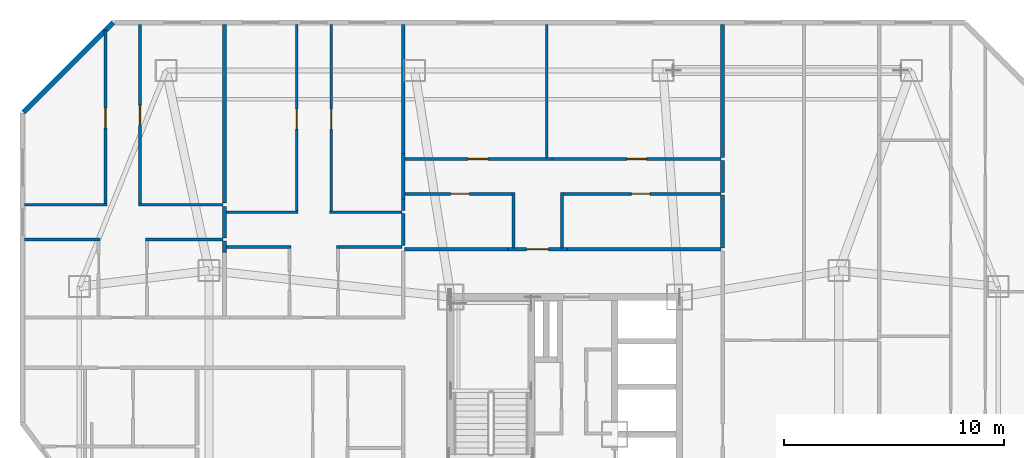
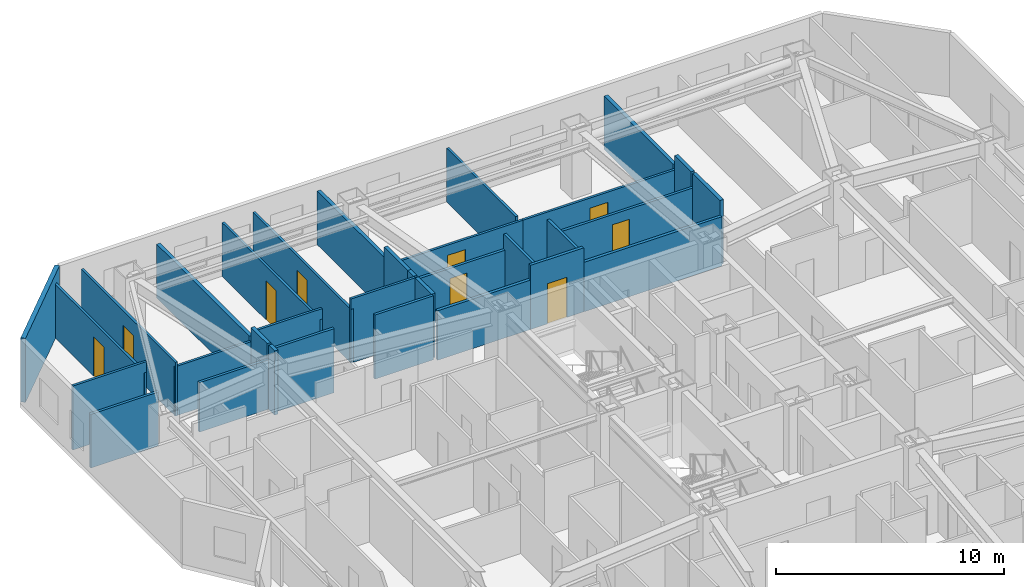
# One storey, part 10 of 12: 33 walls, 9 doors, 9 openings.
"""IFC4 building model written with IfcOpenShell, lengths in metres."""

from ifc_helpers import new_model, si_unit, direction, frame, frame_2d, origin, place, context, subcontext, project, spatial, rectangle, extrude, material, layer, layer_set, type_object, element, fill, save


model = new_model("IFC4")

# Units and contexts
model_context = context("Model", 3, precision=1e-05, world=origin(), true_north=direction((0.0, 1.0)))
body_context = subcontext(model_context, "Body", "Model", "MODEL_VIEW")
ifc_project = project(units=[si_unit("LENGTHUNIT", "METRE"), si_unit("AREAUNIT", "SQUARE_METRE"), si_unit("VOLUMEUNIT", "CUBIC_METRE"), si_unit("PLANEANGLEUNIT", "RADIAN"), si_unit("MASSUNIT", "GRAM", prefix="KILO")], contexts=[model_context])

# Site, building, storey
site_placement = place(None, origin())
site = spatial("IfcSite", under=ifc_project, at=site_placement, CompositionType="ELEMENT")
building_placement = place(site_placement, origin())
building = spatial("IfcBuilding", under=site, at=building_placement, Name="Khamvora Tower", CompositionType="ELEMENT")
storey_placement = place(building_placement, frame((0.0, 0.0, 127.449951171875)))
storey = spatial("IfcBuildingStorey", under=building, at=storey_placement, Name="L32", CompositionType="ELEMENT", Elevation=127.449951171875)

# Wall, opening, door
ifc_material_1 = material(Name="Fire-Rated Drywall and Steel Stud", Category="steel")
ifc_layer_1 = layer(ifc_material_1, 0.14990234375)
ifc_layer_set_1 = layer_set([ifc_layer_1], Name="Fire-Rated Drywall and Steel Stud")
wall_type_1 = type_object("IfcWallType", Name="WAL-CORR-150", PredefinedType="STANDARD", material=ifc_layer_set_1)
wall_1_placement = place(storey_placement, frame((31.60107421875, 39.1650390625, 0.0), z_axis=(0.0, 0.0, 1.0), x_axis=(1.0, 0.0, 0.0)))
wall_1 = element("IfcWall", 1, at=wall_1_placement, inside=storey, type_object=wall_type_1, Name="L32 interior partition wall 030", PredefinedType="STANDARD", context=body_context, shape_type="SweptSolid", body=[
    extrude(rectangle(XDim=2.697998046875, YDim=0.14990234375, at=frame_2d((1.34912109375, 0.0))), origin(), (0.0, 0.0, 1.0), 3.429931640625),
])
opening_1_placement = place(wall_1_placement, frame((0.84912109375, 0.0, 0.0)))
opening_1 = element("IfcOpeningElement", 2, at=opening_1_placement, cuts=wall_1, Name="Opening D-U1", PredefinedType="OPENING", context=body_context, shape_type="SweptSolid", body=[
    extrude(rectangle(XDim=1.0, YDim=2.14990234375, at=frame_2d((0.5, 1.074951171875))), frame((0.0, 0.0849609375, 0.0), z_axis=(0.0, -1.0, 0.0), x_axis=(1.0, 0.0, 0.0)), (0.0, 0.0, 1.0), 0.169921875),
])
ifc_material_2 = material(Name="Powder-Coated Steel and Hardwood Leaf", Category="steel")
door_type_1 = type_object("IfcDoorType", Name="DOR-UNIT-1000", OperationType="NOTDEFINED", PredefinedType="DOOR", material=ifc_material_2)
door_1_placement = place(opening_1_placement, origin())
door_1 = element("IfcDoor", 3, at=door_1_placement, inside=storey, type_object=door_type_1, Name="L32 interior door COR-32NAH", OperationType="SINGLE_SWING_LEFT", OverallHeight=2.14990234375, OverallWidth=1.0, PredefinedType="DOOR", context=body_context, shape_type="SweptSolid", body=[
    extrude(rectangle(XDim=1.0, YDim=2.14990234375, at=frame_2d((0.5, 1.074951171875))), frame((0.0, 0.02490234375, 0.0), z_axis=(0.0, -1.0, 0.0), x_axis=(1.0, 0.0, 0.0)), (0.0, 0.0, 1.0), 0.050048828125),
])
fill(opening_1, door_1)

# Walls
wall_2_placement = place(storey_placement, frame((26.89990234375, 39.1650390625, 0.0), z_axis=(0.0, 0.0, 1.0), x_axis=(1.0, 0.0, 0.0)))
element("IfcWall", 4, at=wall_2_placement, inside=storey, type_object=wall_type_1, Name="L32 interior partition wall 031", PredefinedType="STANDARD", context=body_context, shape_type="SweptSolid", body=[
    extrude(rectangle(XDim=4.701171875, YDim=0.14990234375, at=frame_2d((2.3505859375, 0.0))), origin(), (0.0, 0.0, 1.0), 2.64697265625),
])
wall_3_placement = place(storey_placement, frame((34.299072265625, 39.1650390625, 0.0), z_axis=(0.0, 0.0, 1.0), x_axis=(1.0, 0.0, 0.0)))
element("IfcWall", 5, at=wall_3_placement, inside=storey, type_object=wall_type_1, Name="L32 interior partition wall 032", PredefinedType="STANDARD", context=body_context, shape_type="SweptSolid", body=[
    extrude(rectangle(XDim=7.0009765625, YDim=0.14990234375, at=frame_2d((3.50048828125, 0.0))), origin(), (0.0, 0.0, 1.0), 2.64697265625),
])
ifc_material_3 = material(Name="Acoustic Double-Stud Fire Wall", Category="gypsum")
ifc_layer_2 = layer(ifc_material_3, 0.179931640625)
ifc_layer_set_2 = layer_set([ifc_layer_2], Name="Acoustic Double-Stud Fire Wall")
wall_type_2 = type_object("IfcWallType", Name="WAL-CORR-180", PredefinedType="STANDARD", material=ifc_layer_set_2)
wall_4_placement = place(storey_placement, frame((18.705078125, 41.10888671875, 0.0), z_axis=(0.0, 0.0, 1.0), x_axis=(0.0, -1.0, 0.0)))
element("IfcWall", 6, at=wall_4_placement, inside=storey, type_object=wall_type_2, Name="L32 interior partition wall 096", PredefinedType="STANDARD", context=body_context, shape_type="SweptSolid", body=[
    extrude(rectangle(XDim=1.423828125, YDim=0.179931640625, at=frame_2d((0.7119140625, 0.0))), origin(), (0.0, 0.0, 1.0), 3.429931640625),
])
wall_5_placement = place(storey_placement, frame((18.705078125, 39.554931640625, 0.0), z_axis=(0.0, 0.0, 1.0), x_axis=(0.0, -1.0, 0.0)))
element("IfcWall", 7, at=wall_5_placement, inside=storey, type_object=wall_type_2, Name="L32 interior partition wall 097", PredefinedType="STANDARD", context=body_context, shape_type="SweptSolid", body=[
    extrude(rectangle(XDim=0.52392578125, YDim=0.179931640625, at=frame_2d((0.261962890625, 0.0))), origin(), (0.0, 0.0, 1.0), 3.429931640625),
])
wall_6_placement = place(storey_placement, frame((18.705078125, 49.387939453125, 0.0), z_axis=(0.0, 0.0, 1.0), x_axis=(0.0, -1.0, 0.0)))
element("IfcWall", 8, at=wall_6_placement, inside=storey, type_object=wall_type_2, Name="L32 interior partition wall 099", PredefinedType="STANDARD", context=body_context, shape_type="SweptSolid", body=[
    extrude(rectangle(XDim=8.123046875, YDim=0.179931640625, at=frame_2d((4.0615234375, 0.0))), origin(), (0.0, 0.0, 1.0), 2.8759765625),
])
wall_7_placement = place(storey_placement, frame((26.8349609375, 40.794921875, 0.0), z_axis=(0.0, 0.0, 1.0), x_axis=(0.0, -1.0, 0.0)))
element("IfcWall", 9, at=wall_7_placement, inside=storey, type_object=wall_type_2, Name="L32 interior partition wall 108", PredefinedType="STANDARD", context=body_context, shape_type="SweptSolid", body=[
    extrude(rectangle(XDim=1.449951171875, YDim=0.179931640625, at=frame_2d((0.72509765625, 0.0))), origin(), (0.0, 0.0, 1.0), 3.429931640625),
])
wall_8_placement = place(storey_placement, frame((26.8349609375, 43.52392578125, 0.0), z_axis=(0.0, 0.0, 1.0), x_axis=(0.0, -1.0, 0.0)))
element("IfcWall", 10, at=wall_8_placement, inside=storey, type_object=wall_type_2, Name="L32 interior partition wall 109", PredefinedType="STANDARD", context=body_context, shape_type="SweptSolid", body=[
    extrude(rectangle(XDim=2.077880859375, YDim=0.179931640625, at=frame_2d((1.0390625, 0.0))), origin(), (0.0, 0.0, 1.0), 3.429931640625),
])
wall_9_placement = place(storey_placement, frame((26.8349609375, 41.446044921875, 0.0), z_axis=(0.0, 0.0, 1.0), x_axis=(0.0, -1.0, 0.0)))
element("IfcWall", 11, at=wall_9_placement, inside=storey, type_object=wall_type_2, Name="L32 interior partition wall 110", PredefinedType="STANDARD", context=body_context, shape_type="SweptSolid", body=[
    extrude(rectangle(XDim=0.52099609375, YDim=0.179931640625, at=frame_2d((0.260498046875, 0.0))), origin(), (0.0, 0.0, 1.0), 3.429931640625),
])
wall_10_placement = place(storey_placement, frame((26.8349609375, 49.387939453125, 0.0), z_axis=(0.0, 0.0, 1.0), x_axis=(0.0, -1.0, 0.0)))
element("IfcWall", 12, at=wall_10_placement, inside=storey, type_object=wall_type_2, Name="L32 interior partition wall 111", PredefinedType="STANDARD", context=body_context, shape_type="SweptSolid", body=[
    extrude(rectangle(XDim=5.864013671875, YDim=0.179931640625, at=frame_2d((2.93212890625, 0.0))), origin(), (0.0, 0.0, 1.0), 2.8759765625),
])
wall_11_placement = place(storey_placement, frame((41.364990234375, 43.2099609375, 0.0), z_axis=(0.0, 0.0, 1.0), x_axis=(0.0, -1.0, 0.0)))
element("IfcWall", 13, at=wall_11_placement, inside=storey, type_object=wall_type_2, Name="L32 interior partition wall 127", PredefinedType="STANDARD", context=body_context, shape_type="SweptSolid", body=[
    extrude(rectangle(XDim=1.449951171875, YDim=0.179931640625, at=frame_2d((0.72509765625, 0.0))), origin(), (0.0, 0.0, 1.0), 3.429931640625),
])
wall_12_placement = place(storey_placement, frame((41.364990234375, 41.6298828125, 0.0), z_axis=(0.0, 0.0, 1.0), x_axis=(0.0, -1.0, 0.0)))
element("IfcWall", 14, at=wall_12_placement, inside=storey, type_object=wall_type_2, Name="L32 interior partition wall 128", PredefinedType="STANDARD", context=body_context, shape_type="SweptSolid", body=[
    extrude(rectangle(XDim=2.39990234375, YDim=0.179931640625, at=frame_2d((1.199951171875, 0.0))), origin(), (0.0, 0.0, 1.0), 3.429931640625),
])
wall_13_placement = place(storey_placement, frame((41.364990234375, 49.387939453125, 0.0), z_axis=(0.0, 0.0, 1.0), x_axis=(0.0, -1.0, 0.0)))
element("IfcWall", 15, at=wall_13_placement, inside=storey, type_object=wall_type_2, Name="L32 interior partition wall 130", PredefinedType="STANDARD", context=body_context, shape_type="SweptSolid", body=[
    extrude(rectangle(XDim=6.0478515625, YDim=0.179931640625, at=frame_2d((3.02392578125, 0.0))), origin(), (0.0, 0.0, 1.0), 2.8759765625),
])
ifc_material_4 = material(Name="Precast concrete C40/50", Category="concrete")
ifc_layer_3 = layer(ifc_material_4, 0.219970703125)
ifc_layer_set_3 = layer_set([ifc_layer_3], Name="Precast concrete C40/50")
wall_type_3 = type_object("IfcWallType", Name="WAL-EXT-220", PredefinedType="STANDARD", material=ifc_layer_set_3)
wall_14_placement = place(storey_placement, frame((9.55810546875, 45.402099609375, 0.0), z_axis=(0.0, 0.0, 1.0), x_axis=(0.707106781187, 0.707106781187, 0.0)))
element("IfcWall", 16, at=wall_14_placement, inside=storey, type_object=wall_type_3, Name="L32 exterior facade wall 06.1", PredefinedType="STANDARD", context=body_context, shape_type="SweptSolid", body=[
    extrude(rectangle(XDim=5.78125, YDim=0.219970703125, at=frame_2d((2.890625, 0.0))), origin(), (0.0, 0.0, 1.0), 3.429931640625),
])
ifc_material_5 = material(Name="Gypsum Plasterboard Partition", Category="gypsum")
ifc_layer_4 = layer(ifc_material_5, 0.1201171875)
ifc_layer_set_4 = layer_set([ifc_layer_4], Name="Gypsum Plasterboard Partition")
wall_type_4 = type_object("IfcWallType", Name="WAL-PART-120", PredefinedType="PARTITIONING", material=ifc_layer_set_4)
wall_15_placement = place(storey_placement, frame((9.612060546875, 41.199951171875, 0.0), z_axis=(0.0, 0.0, 1.0), x_axis=(1.0, 0.0, 0.0)))
element("IfcWall", 17, at=wall_15_placement, inside=storey, type_object=wall_type_4, Name="L32 interior partition wall 092", PredefinedType="PARTITIONING", context=body_context, shape_type="SweptSolid", body=[
    extrude(rectangle(XDim=3.742919921875, YDim=0.1201171875, at=frame_2d((1.87158203125, 0.0))), origin(), (0.0, 0.0, 1.0), 3.429931640625),
])

# Wall, opening, door
wall_16_placement = place(storey_placement, frame((13.2900390625, 41.135009765625, 0.0), z_axis=(0.0, 0.0, 1.0), x_axis=(0.0, 1.0, 0.0)))
wall_16 = element("IfcWall", 18, at=wall_16_placement, inside=storey, type_object=wall_type_4, Name="L32 interior partition wall 093", PredefinedType="PARTITIONING", context=body_context, shape_type="SweptSolid", body=[
    extrude(rectangle(XDim=8.008056640625, YDim=0.1201171875, at=frame_2d((4.00390625, 0.0))), origin(), (0.0, 0.0, 1.0), 2.8759765625),
])
opening_2_placement = place(wall_16_placement, frame((3.553955078125, 0.0, 0.0)))
opening_2 = element("IfcOpeningElement", 19, at=opening_2_placement, cuts=wall_16, Name="Opening D-RM1", PredefinedType="OPENING", context=body_context, shape_type="SweptSolid", body=[
    extrude(rectangle(XDim=0.89990234375, YDim=2.10009765625, at=frame_2d((0.449951171875, 1.050048828125))), frame((0.0, 0.070068359375, 0.0), z_axis=(0.0, -1.0, 0.0), x_axis=(1.0, 0.0, 0.0)), (0.0, 0.0, 1.0), 0.14013671875),
])
door_type_2 = type_object("IfcDoorType", Name="DOR-ROOM-900", OperationType="NOTDEFINED", PredefinedType="DOOR", material=ifc_material_2)
door_2_placement = place(opening_2_placement, origin())
door_2 = element("IfcDoor", 20, at=door_2_placement, inside=storey, type_object=door_type_2, Name="L32 interior door 32WBH-32WBL", OperationType="SINGLE_SWING_RIGHT", OverallHeight=2.10009765625, OverallWidth=0.89990234375, PredefinedType="DOOR", context=body_context, shape_type="SweptSolid", body=[
    extrude(rectangle(XDim=0.89990234375, YDim=2.10009765625, at=frame_2d((0.449951171875, 1.050048828125))), frame((0.0, 0.02490234375, 0.0), z_axis=(0.0, -1.0, 0.0), x_axis=(1.0, 0.0, 0.0)), (0.0, 0.0, 1.0), 0.050048828125),
])
fill(opening_2, door_2)

wall_17_placement = place(storey_placement, frame((14.860107421875, 49.387939453125, 0.0), z_axis=(0.0, 0.0, 1.0), x_axis=(0.0, -1.0, 0.0)))
wall_17 = element("IfcWall", 21, at=wall_17_placement, inside=storey, type_object=wall_type_4, Name="L32 interior partition wall 094", PredefinedType="PARTITIONING", context=body_context, shape_type="SweptSolid", body=[
    extrude(rectangle(XDim=8.2529296875, YDim=0.1201171875, at=frame_2d((4.12646484375, 0.0))), origin(), (0.0, 0.0, 1.0), 2.8759765625),
])
opening_3_placement = place(wall_17_placement, frame((3.676025390625, 0.0, 0.0)))
opening_3 = element("IfcOpeningElement", 22, at=opening_3_placement, cuts=wall_17, Name="Opening D-RM1", PredefinedType="OPENING", context=body_context, shape_type="SweptSolid", body=[
    extrude(rectangle(XDim=0.89990234375, YDim=2.10009765625, at=frame_2d((0.449951171875, 1.050048828125))), frame((0.0, 0.070068359375, 0.0), z_axis=(0.0, -1.0, 0.0), x_axis=(1.0, 0.0, 0.0)), (0.0, 0.0, 1.0), 0.14013671875),
])
door_3_placement = place(opening_3_placement, origin())
door_3 = element("IfcDoor", 23, at=door_3_placement, inside=storey, type_object=door_type_2, Name="L32 interior door 32WBH-32WBR2", OperationType="SINGLE_SWING_LEFT", OverallHeight=2.10009765625, OverallWidth=0.89990234375, PredefinedType="DOOR", context=body_context, shape_type="SweptSolid", body=[
    extrude(rectangle(XDim=0.89990234375, YDim=2.10009765625, at=frame_2d((0.449951171875, 1.050048828125))), frame((0.0, 0.02490234375, 0.0), z_axis=(0.0, -1.0, 0.0), x_axis=(1.0, 0.0, 0.0)), (0.0, 0.0, 1.0), 0.050048828125),
])
fill(opening_3, door_3)

# Walls
wall_18_placement = place(storey_placement, frame((14.794921875, 41.199951171875, 0.0), z_axis=(0.0, 0.0, 1.0), x_axis=(1.0, 0.0, 0.0)))
element("IfcWall", 24, at=wall_18_placement, inside=storey, type_object=wall_type_4, Name="L32 interior partition wall 095", PredefinedType="PARTITIONING", context=body_context, shape_type="SweptSolid", body=[
    extrude(rectangle(XDim=3.844970703125, YDim=0.1201171875, at=frame_2d((1.92236328125, 0.0))), origin(), (0.0, 0.0, 1.0), 2.64697265625),
])
wall_19_placement = place(storey_placement, frame((18.787109375, 40.860107421875, 0.0), z_axis=(0.0, 0.0, 1.0), x_axis=(1.0, 0.0, 0.0)))
element("IfcWall", 25, at=wall_19_placement, inside=storey, type_object=wall_type_4, Name="L32 interior partition wall 104", PredefinedType="PARTITIONING", context=body_context, shape_type="SweptSolid", body=[
    extrude(rectangle(XDim=3.262939453125, YDim=0.1201171875, at=frame_2d((1.63134765625, 0.0))), origin(), (0.0, 0.0, 1.0), 3.429931640625),
])

# Wall, opening, door
wall_20_placement = place(storey_placement, frame((21.985107421875, 40.794921875, 0.0), z_axis=(0.0, 0.0, 1.0), x_axis=(0.0, 1.0, 0.0)))
wall_20 = element("IfcWall", 26, at=wall_20_placement, inside=storey, type_object=wall_type_4, Name="L32 interior partition wall 105", PredefinedType="PARTITIONING", context=body_context, shape_type="SweptSolid", body=[
    extrude(rectangle(XDim=8.593017578125, YDim=0.1201171875, at=frame_2d((4.29638671875, 0.0))), origin(), (0.0, 0.0, 1.0), 2.8759765625),
])
opening_4_placement = place(wall_20_placement, frame((3.845947265625, 0.0, 0.0)))
opening_4 = element("IfcOpeningElement", 27, at=opening_4_placement, cuts=wall_20, Name="Opening D-RM1", PredefinedType="OPENING", context=body_context, shape_type="SweptSolid", body=[
    extrude(rectangle(XDim=0.89990234375, YDim=2.10009765625, at=frame_2d((0.449951171875, 1.050048828125))), frame((0.0, 0.070068359375, 0.0), z_axis=(0.0, -1.0, 0.0), x_axis=(1.0, 0.0, 0.0)), (0.0, 0.0, 1.0), 0.14013671875),
])
door_4_placement = place(opening_4_placement, origin())
door_4 = element("IfcDoor", 28, at=door_4_placement, inside=storey, type_object=door_type_2, Name="L32 interior door 32WCH-32WCL", OperationType="SINGLE_SWING_RIGHT", OverallHeight=2.10009765625, OverallWidth=0.89990234375, PredefinedType="DOOR", context=body_context, shape_type="SweptSolid", body=[
    extrude(rectangle(XDim=0.89990234375, YDim=2.10009765625, at=frame_2d((0.449951171875, 1.050048828125))), frame((0.0, 0.02490234375, 0.0), z_axis=(0.0, -1.0, 0.0), x_axis=(1.0, 0.0, 0.0)), (0.0, 0.0, 1.0), 0.050048828125),
])
fill(opening_4, door_4)

wall_21_placement = place(storey_placement, frame((23.554931640625, 49.387939453125, 0.0), z_axis=(0.0, 0.0, 1.0), x_axis=(0.0, -1.0, 0.0)))
wall_21 = element("IfcWall", 29, at=wall_21_placement, inside=storey, type_object=wall_type_4, Name="L32 interior partition wall 106", PredefinedType="PARTITIONING", context=body_context, shape_type="SweptSolid", body=[
    extrude(rectangle(XDim=8.593017578125, YDim=0.1201171875, at=frame_2d((4.29638671875, 0.0))), origin(), (0.0, 0.0, 1.0), 2.8759765625),
])
opening_5_placement = place(wall_21_placement, frame((3.845947265625, 0.0, 0.0)))
opening_5 = element("IfcOpeningElement", 30, at=opening_5_placement, cuts=wall_21, Name="Opening D-RM1", PredefinedType="OPENING", context=body_context, shape_type="SweptSolid", body=[
    extrude(rectangle(XDim=0.89990234375, YDim=2.10009765625, at=frame_2d((0.449951171875, 1.050048828125))), frame((0.0, 0.070068359375, 0.0), z_axis=(0.0, -1.0, 0.0), x_axis=(1.0, 0.0, 0.0)), (0.0, 0.0, 1.0), 0.14013671875),
])
door_5_placement = place(opening_5_placement, origin())
door_5 = element("IfcDoor", 31, at=door_5_placement, inside=storey, type_object=door_type_2, Name="L32 interior door 32WCH-32WCR2", OperationType="SINGLE_SWING_LEFT", OverallHeight=2.10009765625, OverallWidth=0.89990234375, PredefinedType="DOOR", context=body_context, shape_type="SweptSolid", body=[
    extrude(rectangle(XDim=0.89990234375, YDim=2.10009765625, at=frame_2d((0.449951171875, 1.050048828125))), frame((0.0, 0.02490234375, 0.0), z_axis=(0.0, -1.0, 0.0), x_axis=(1.0, 0.0, 0.0)), (0.0, 0.0, 1.0), 0.050048828125),
])
fill(opening_5, door_5)

# Wall
wall_22_placement = place(storey_placement, frame((23.489990234375, 40.860107421875, 0.0), z_axis=(0.0, 0.0, 1.0), x_axis=(1.0, 0.0, 0.0)))
element("IfcWall", 32, at=wall_22_placement, inside=storey, type_object=wall_type_4, Name="L32 interior partition wall 107", PredefinedType="PARTITIONING", context=body_context, shape_type="SweptSolid", body=[
    extrude(rectangle(XDim=3.280029296875, YDim=0.1201171875, at=frame_2d((1.64013671875, 0.0))), origin(), (0.0, 0.0, 1.0), 3.429931640625),
])

# Wall, opening, door
wall_23_placement = place(storey_placement, frame((26.9169921875, 43.27490234375, 0.0), z_axis=(0.0, 0.0, 1.0), x_axis=(1.0, 0.0, 0.0)))
wall_23 = element("IfcWall", 33, at=wall_23_placement, inside=storey, type_object=wall_type_4, Name="L32 interior partition wall 125", PredefinedType="PARTITIONING", context=body_context, shape_type="SweptSolid", body=[
    extrude(rectangle(XDim=6.68994140625, YDim=0.1201171875, at=frame_2d((3.344970703125, 0.0))), origin(), (0.0, 0.0, 1.0), 2.64697265625),
])
opening_6_placement = place(wall_23_placement, frame((2.873046875, 0.0, 0.0)))
opening_6 = element("IfcOpeningElement", 34, at=opening_6_placement, cuts=wall_23, Name="Opening D-RM1", PredefinedType="OPENING", context=body_context, shape_type="SweptSolid", body=[
    extrude(rectangle(XDim=0.89990234375, YDim=2.10009765625, at=frame_2d((0.449951171875, 1.050048828125))), frame((0.0, 0.070068359375, 0.0), z_axis=(0.0, -1.0, 0.0), x_axis=(1.0, 0.0, 0.0)), (0.0, 0.0, 1.0), 0.14013671875),
])
door_6_placement = place(opening_6_placement, origin())
door_6 = element("IfcDoor", 35, at=door_6_placement, inside=storey, type_object=door_type_2, Name="L32 interior door 32NAH-32NAR1", OperationType="SINGLE_SWING_LEFT", OverallHeight=2.10009765625, OverallWidth=0.89990234375, PredefinedType="DOOR", context=body_context, shape_type="SweptSolid", body=[
    extrude(rectangle(XDim=0.89990234375, YDim=2.10009765625, at=frame_2d((0.449951171875, 1.050048828125))), frame((0.0, 0.02490234375, 0.0), z_axis=(0.0, -1.0, 0.0), x_axis=(1.0, 0.0, 0.0)), (0.0, 0.0, 1.0), 0.050048828125),
])
fill(opening_6, door_6)

wall_24_placement = place(storey_placement, frame((33.60693359375, 43.27490234375, 0.0), z_axis=(0.0, 0.0, 1.0), x_axis=(1.0, 0.0, 0.0)))
wall_24 = element("IfcWall", 36, at=wall_24_placement, inside=storey, type_object=wall_type_4, Name="L32 interior partition wall 126", PredefinedType="PARTITIONING", context=body_context, shape_type="SweptSolid", body=[
    extrude(rectangle(XDim=7.693115234375, YDim=0.1201171875, at=frame_2d((3.8466796875, 0.0))), origin(), (0.0, 0.0, 1.0), 2.64697265625),
])
opening_7_placement = place(wall_24_placement, frame((3.39599609375, 0.0, 0.0)))
opening_7 = element("IfcOpeningElement", 37, at=opening_7_placement, cuts=wall_24, Name="Opening D-RM1", PredefinedType="OPENING", context=body_context, shape_type="SweptSolid", body=[
    extrude(rectangle(XDim=0.89990234375, YDim=2.10009765625, at=frame_2d((0.449951171875, 1.050048828125))), frame((0.0, 0.070068359375, 0.0), z_axis=(0.0, -1.0, 0.0), x_axis=(1.0, 0.0, 0.0)), (0.0, 0.0, 1.0), 0.14013671875),
])
door_7_placement = place(opening_7_placement, origin())
door_7 = element("IfcDoor", 38, at=door_7_placement, inside=storey, type_object=door_type_2, Name="L32 interior door 32NAH-32NAR2", OperationType="SINGLE_SWING_RIGHT", OverallHeight=2.10009765625, OverallWidth=0.89990234375, PredefinedType="DOOR", context=body_context, shape_type="SweptSolid", body=[
    extrude(rectangle(XDim=0.89990234375, YDim=2.10009765625, at=frame_2d((0.449951171875, 1.050048828125))), frame((0.0, 0.02490234375, 0.0), z_axis=(0.0, -1.0, 0.0), x_axis=(1.0, 0.0, 0.0)), (0.0, 0.0, 1.0), 0.050048828125),
])
fill(opening_7, door_7)

# Walls
wall_25_placement = place(storey_placement, frame((33.35693359375, 49.387939453125, 0.0), z_axis=(0.0, 0.0, 1.0), x_axis=(0.0, -1.0, 0.0)))
element("IfcWall", 39, at=wall_25_placement, inside=storey, type_object=wall_type_4, Name="L32 interior partition wall 129", PredefinedType="PARTITIONING", context=body_context, shape_type="SweptSolid", body=[
    extrude(rectangle(XDim=6.058837890625, YDim=0.1201171875, at=frame_2d((3.029296875, 0.0))), origin(), (0.0, 0.0, 1.0), 2.8759765625),
])
ifc_material_6 = material(Name="Moisture-Resistant Plasterboard Partition", Category="gypsum")
ifc_layer_5 = layer(ifc_material_6, 0.135009765625)
ifc_layer_set_5 = layer_set([ifc_layer_5], Name="Moisture-Resistant Plasterboard Partition")
wall_type_5 = type_object("IfcWallType", Name="WAL-WET-135", PredefinedType="PARTITIONING", material=ifc_layer_set_5)
wall_26_placement = place(storey_placement, frame((13.0400390625, 39.6201171875, 0.0), z_axis=(0.0, 0.0, 1.0), x_axis=(-1.0, 0.0, 0.0)))
element("IfcWall", 40, at=wall_26_placement, inside=storey, type_object=wall_type_5, Name="L32 interior partition wall 089", PredefinedType="PARTITIONING", context=body_context, shape_type="SweptSolid", body=[
    extrude(rectangle(XDim=3.427978515625, YDim=0.135009765625, at=frame_2d((1.7138671875, 0.0))), origin(), (0.0, 0.0, 1.0), 2.8759765625),
])
wall_27_placement = place(storey_placement, frame((18.639892578125, 39.6201171875, 0.0), z_axis=(0.0, 0.0, 1.0), x_axis=(-1.0, 0.0, 0.0)))
element("IfcWall", 41, at=wall_27_placement, inside=storey, type_object=wall_type_5, Name="L32 interior partition wall 090", PredefinedType="PARTITIONING", context=body_context, shape_type="SweptSolid", body=[
    extrude(rectangle(XDim=3.52978515625, YDim=0.135009765625, at=frame_2d((1.764892578125, 0.0))), origin(), (0.0, 0.0, 1.0), 2.64697265625),
])
wall_28_placement = place(storey_placement, frame((21.735107421875, 39.280029296875, 0.0), z_axis=(0.0, 0.0, 1.0), x_axis=(-1.0, 0.0, 0.0)))
element("IfcWall", 42, at=wall_28_placement, inside=storey, type_object=wall_type_5, Name="L32 interior partition wall 101", PredefinedType="PARTITIONING", context=body_context, shape_type="SweptSolid", body=[
    extrude(rectangle(XDim=2.947998046875, YDim=0.135009765625, at=frame_2d((1.47412109375, 0.0))), origin(), (0.0, 0.0, 1.0), 3.429931640625),
])
wall_29_placement = place(storey_placement, frame((26.77001953125, 39.280029296875, 0.0), z_axis=(0.0, 0.0, 1.0), x_axis=(-1.0, 0.0, 0.0)))
element("IfcWall", 43, at=wall_29_placement, inside=storey, type_object=wall_type_5, Name="L32 interior partition wall 102", PredefinedType="PARTITIONING", context=body_context, shape_type="SweptSolid", body=[
    extrude(rectangle(XDim=2.965087890625, YDim=0.135009765625, at=frame_2d((1.482421875, 0.0))), origin(), (0.0, 0.0, 1.0), 3.429931640625),
])
wall_30_placement = place(storey_placement, frame((31.85009765625, 39.23193359375, 0.0), z_axis=(0.0, 0.0, 1.0), x_axis=(0.0, 1.0, 0.0)))
element("IfcWall", 44, at=wall_30_placement, inside=storey, type_object=wall_type_5, Name="L32 interior partition wall 121", PredefinedType="PARTITIONING", context=body_context, shape_type="SweptSolid", body=[
    extrude(rectangle(XDim=2.528076171875, YDim=0.135009765625, at=frame_2d((1.26416015625, 0.0))), origin(), (0.0, 0.0, 1.0), 3.429931640625),
])

# Wall, opening, door
wall_31_placement = place(storey_placement, frame((31.9150390625, 41.695068359375, 0.0), z_axis=(0.0, 0.0, 1.0), x_axis=(-1.0, 0.0, 0.0)))
wall_31 = element("IfcWall", 45, at=wall_31_placement, inside=storey, type_object=wall_type_5, Name="L32 interior partition wall 122", PredefinedType="PARTITIONING", context=body_context, shape_type="SweptSolid", body=[
    extrude(rectangle(XDim=4.998046875, YDim=0.135009765625, at=frame_2d((2.4990234375, 0.0))), origin(), (0.0, 0.0, 1.0), 2.64697265625),
])
opening_8_placement = place(wall_31_placement, frame((2.073974609375, 0.0, 0.0)))
opening_8 = element("IfcOpeningElement", 46, at=opening_8_placement, cuts=wall_31, Name="Opening D-WC1", PredefinedType="OPENING", context=body_context, shape_type="SweptSolid", body=[
    extrude(rectangle(XDim=0.85009765625, YDim=2.10009765625, at=frame_2d((0.425048828125, 1.050048828125))), frame((0.0, 0.077392578125, 0.0), z_axis=(0.0, -1.0, 0.0), x_axis=(1.0, 0.0, 0.0)), (0.0, 0.0, 1.0), 0.155029296875),
])
door_type_3 = type_object("IfcDoorType", Name="DOR-WET-850", OperationType="NOTDEFINED", PredefinedType="DOOR", material=ifc_material_2)
door_8_placement = place(opening_8_placement, origin())
door_8 = element("IfcDoor", 47, at=door_8_placement, inside=storey, type_object=door_type_3, Name="L32 interior door 32NAH-32NAB", OperationType="SINGLE_SWING_LEFT", OverallHeight=2.10009765625, OverallWidth=0.85009765625, PredefinedType="DOOR", context=body_context, shape_type="SweptSolid", body=[
    extrude(rectangle(XDim=0.85009765625, YDim=2.10009765625, at=frame_2d((0.425048828125, 1.050048828125))), frame((0.0, 0.02490234375, 0.0), z_axis=(0.0, -1.0, 0.0), x_axis=(1.0, 0.0, 0.0)), (0.0, 0.0, 1.0), 0.050048828125),
])
fill(opening_8, door_8)

wall_32_placement = place(storey_placement, frame((41.300048828125, 41.695068359375, 0.0), z_axis=(0.0, 0.0, 1.0), x_axis=(-1.0, 0.0, 0.0)))
wall_32 = element("IfcWall", 48, at=wall_32_placement, inside=storey, type_object=wall_type_5, Name="L32 interior partition wall 123", PredefinedType="PARTITIONING", context=body_context, shape_type="SweptSolid", body=[
    extrude(rectangle(XDim=7.31494140625, YDim=0.135009765625, at=frame_2d((3.657470703125, 0.0))), origin(), (0.0, 0.0, 1.0), 2.64697265625),
])
opening_9_placement = place(wall_32_placement, frame((3.23291015625, 0.0, 0.0)))
opening_9 = element("IfcOpeningElement", 49, at=opening_9_placement, cuts=wall_32, Name="Opening D-RM2", PredefinedType="OPENING", context=body_context, shape_type="SweptSolid", body=[
    extrude(rectangle(XDim=0.85009765625, YDim=2.10009765625, at=frame_2d((0.425048828125, 1.050048828125))), frame((0.0, 0.077392578125, 0.0), z_axis=(0.0, -1.0, 0.0), x_axis=(1.0, 0.0, 0.0)), (0.0, 0.0, 1.0), 0.155029296875),
])
door_type_4 = type_object("IfcDoorType", Name="DOR-ROOM-850", OperationType="NOTDEFINED", PredefinedType="DOOR", material=ifc_material_2)
door_9_placement = place(opening_9_placement, origin())
door_9 = element("IfcDoor", 50, at=door_9_placement, inside=storey, type_object=door_type_4, Name="L32 interior door 32NAH-32NAK", OperationType="SINGLE_SWING_RIGHT", OverallHeight=2.10009765625, OverallWidth=0.85009765625, PredefinedType="DOOR", context=body_context, shape_type="SweptSolid", body=[
    extrude(rectangle(XDim=0.85009765625, YDim=2.10009765625, at=frame_2d((0.425048828125, 1.050048828125))), frame((0.0, 0.02490234375, 0.0), z_axis=(0.0, -1.0, 0.0), x_axis=(1.0, 0.0, 0.0)), (0.0, 0.0, 1.0), 0.050048828125),
])
fill(opening_9, door_9)

# Wall
wall_33_placement = place(storey_placement, frame((34.050048828125, 41.760009765625, 0.0), z_axis=(0.0, 0.0, 1.0), x_axis=(0.0, -1.0, 0.0)))
element("IfcWall", 51, at=wall_33_placement, inside=storey, type_object=wall_type_5, Name="L32 interior partition wall 124", PredefinedType="PARTITIONING", context=body_context, shape_type="SweptSolid", body=[
    extrude(rectangle(XDim=2.528076171875, YDim=0.135009765625, at=frame_2d((1.26416015625, 0.0))), origin(), (0.0, 0.0, 1.0), 3.429931640625),
])

save(model, "model.ifc")
